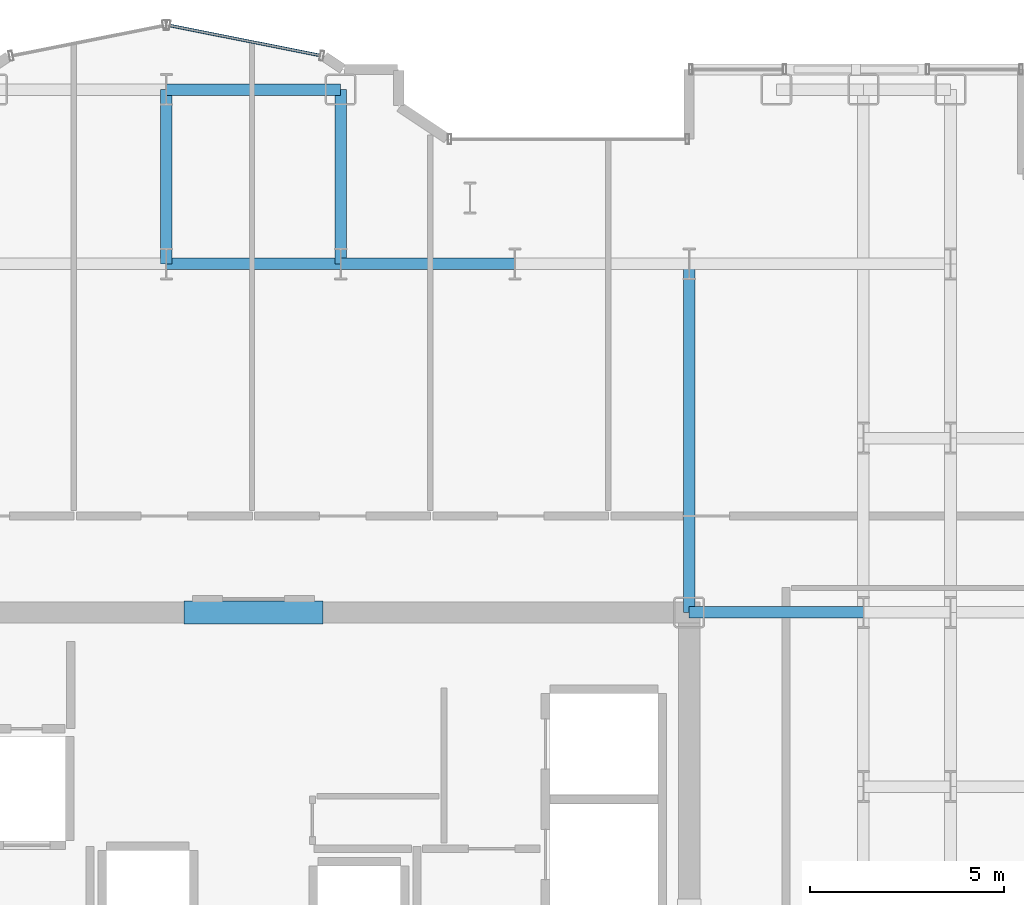
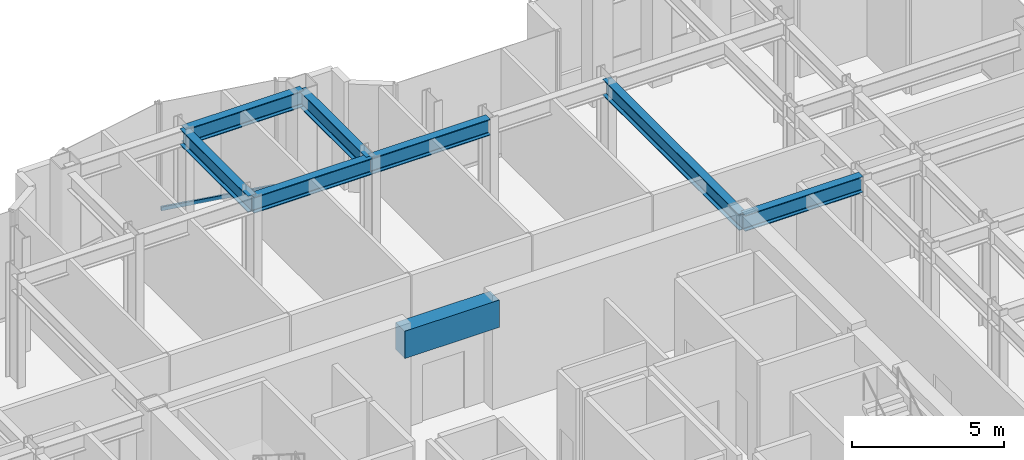
# One storey, part 14 of 26: 8 beams, 1 member, 1 element without a shape of its own.
"""IFC4 building model written with IfcOpenShell, lengths in metres."""

from ifc_helpers import new_model, si_unit, direction, frame, origin, origin_2d, place, context, subcontext, project, spatial, rectangle, hollow_rectangle, i_section, extrude, source, transform, mapped, material, layer, layer_set, material_profile, profile_set, type_object, element, aggregate, save


model = new_model("IFC4")

# Units and contexts
model_context = context("Model", 3, precision=1e-05, world=origin(), true_north=direction((0.0, 1.0)))
body_context = subcontext(model_context, "Body", "Model", "MODEL_VIEW")
ifc_project = project(units=[si_unit("LENGTHUNIT", "METRE"), si_unit("AREAUNIT", "SQUARE_METRE"), si_unit("VOLUMEUNIT", "CUBIC_METRE"), si_unit("PLANEANGLEUNIT", "RADIAN"), si_unit("MASSUNIT", "GRAM", prefix="KILO")], contexts=[model_context])

# Site, building, storey
site_placement = place(None, origin())
site = spatial("IfcSite", under=ifc_project, at=site_placement, CompositionType="ELEMENT")
building_placement = place(site_placement, origin())
building = spatial("IfcBuilding", under=site, at=building_placement, Name="Nefas-Gora Pilgrimage Tower", CompositionType="ELEMENT")
storey_placement = place(building_placement, frame((0.0, 0.0, 202.0)))
storey = spatial("IfcBuildingStorey", under=building, at=storey_placement, Name="L50", CompositionType="ELEMENT", Elevation=202.0)

# Beams
ifc_material_1 = material(Name="Concrete C60/75", Category="concrete")
ifc_material_profile_1 = material_profile(ifc_material_1, rectangle(XDim=0.60009765625, YDim=1.10009765625, at=origin_2d()), Name="RC 600x1100")
ifc_profile_set_1 = profile_set([ifc_material_profile_1], Name="Concrete C60/75")
beam_type_1 = type_object("IfcBeamType", Name="BM-LIN-RC1100", PredefinedType="LINTEL", material=ifc_profile_set_1)
shared_shape_1 = source(origin(), body_context, "Body", "SweptSolid", [
    extrude(rectangle(XDim=0.60009765625, YDim=1.10009765625, at=origin_2d()), origin(), (0.0, 0.0, 1.0), 3.60009765625),
])
beam_1_placement = place(storey_placement, frame((-1.800048828125, 9.0, 3.800048828125), z_axis=(1.0, 0.0, 0.0), x_axis=(0.0, 1.0, 0.0)))
element("IfcBeam", 1, at=beam_1_placement, inside=storey, type_object=beam_type_1, Name="L50 Core Coupling Lintel Beam N", PredefinedType="LINTEL", context=body_context, shape_type="MappedRepresentation", body=[
    mapped(shared_shape_1, transform((0.0, 0.0, 0.0), x_axis=(1.0, 0.0, 0.0), y_axis=(0.0, 1.0, 0.0), z_axis=(0.0, 0.0, 1.0), scale=1.0)),
])
ifc_material_2 = material(Name="Steel S355", Category="steel")
ifc_material_profile_2 = material_profile(ifc_material_2, i_section(OverallWidth=0.300048828125, OverallDepth=0.64990234375, WebThickness=0.01611328125, FlangeThickness=0.031005859375, FilletRadius=0.027099609375, at=origin_2d()), Name="HEB 650")
ifc_profile_set_2 = profile_set([ifc_material_profile_2], Name="Steel S355")
beam_type_2 = type_object("IfcBeamType", Name="BM-GIR-HEB650", PredefinedType="BEAM", material=ifc_profile_set_2)
shared_shape_2 = source(origin(), body_context, "Body", "SweptSolid", [
    extrude(i_section(OverallWidth=0.300048828125, OverallDepth=0.64990234375, WebThickness=0.01611328125, FlangeThickness=0.031005859375, FilletRadius=0.027099609375, at=origin_2d()), origin(), (0.0, 0.0, 1.0), 9.0),
])
beam_2_placement = place(storey_placement, frame((11.25, 9.0, 4.02490234375), z_axis=(0.0, 1.0, 0.0), x_axis=(-1.0, 0.0, 0.0)))
element("IfcBeam", 2, at=beam_2_placement, inside=storey, type_object=beam_type_2, Name="L50 G-03 beam", PredefinedType="BEAM", context=body_context, shape_type="MappedRepresentation", body=[
    mapped(shared_shape_2, transform((0.0, 0.0, 0.0), x_axis=(1.0, 0.0, 0.0), y_axis=(0.0, 1.0, 0.0), z_axis=(0.0, 0.0, 1.0), scale=1.0)),
])
shared_shape_3 = source(origin(), body_context, "Body", "SweptSolid", [
    extrude(i_section(OverallWidth=0.300048828125, OverallDepth=0.64990234375, WebThickness=0.01611328125, FlangeThickness=0.031005859375, FilletRadius=0.027099609375, at=origin_2d()), origin(), (0.0, 0.0, 1.0), 4.5),
])
for number, where, z_axis, x_axis, name in (
    (3, (-2.25, 18.0, 4.02490234375), (0.0, 1.0, 0.0), (-1.0, 0.0, 0.0), "L50 G-03 beam"),
    (4, (-2.25, 18.0, 4.02490234375), (1.0, 0.0, 0.0), (0.0, 1.0, 0.0), "L50 G-03 beam"),
    (5, (-2.25, 22.5, 4.02490234375), (1.0, 0.0, 0.0), (0.0, 1.0, 0.0), "L50 G-03 beam"),
    (6, (2.25, 18.0, 4.02490234375), (0.0, 1.0, 0.0), (-1.0, 0.0, 0.0), "L50 G-03 beam"),
    (7, (2.25, 18.0, 4.02490234375), (1.0, 0.0, 0.0), (0.0, 1.0, 0.0), "L50 G-03 beam"),
    (8, (11.25, 9.0, 4.02490234375), (1.0, 0.0, 0.0), (0.0, 1.0, 0.0), "L50 G-03 beam"),
):
    element("IfcBeam", number, at=place(storey_placement, frame(where, z_axis=z_axis, x_axis=x_axis)), inside=storey, type_object=beam_type_2, Name=name, PredefinedType="BEAM", context=body_context, shape_type="MappedRepresentation", body=[
        mapped(shared_shape_3, transform((0.0, 0.0, 0.0), x_axis=(1.0, 0.0, 0.0), y_axis=(0.0, 1.0, 0.0), z_axis=(0.0, 0.0, 1.0), scale=1.0)),
    ])

# Curtain wall, member
ifc_material_3 = material(Name="Dark ceramic-fritted solar-control aluminium-glass curtain wall", Category="aluminium")
ifc_layer = layer(ifc_material_3, 0.219970703125)
ifc_layer_set = layer_set([ifc_layer], Name="Dark ceramic-fritted solar-control aluminium-glass curtain wall")
curtain_wall_type = type_object("IfcCurtainWallType", Name="CW-SYS-5", PredefinedType="NOTDEFINED", material=ifc_layer_set)
curtain_wall_placement = place(storey_placement, origin())
curtain_wall = element("IfcCurtainWall", 9, at=curtain_wall_placement, inside=storey, type_object=curtain_wall_type, Name="L50 Unitised Curtain Wall CW5", PredefinedType="NOTDEFINED")
ifc_material_4 = material(Name="Anodised architectural aluminium", Category="aluminium")
ifc_material_profile_3 = material_profile(ifc_material_4, hollow_rectangle(XDim=0.080078125, YDim=0.159912109375, WallThickness=0.00439453125, InnerFilletRadius=0.00439453125, OuterFilletRadius=0.009033203125, at=origin_2d()), Name="ALU TRANSOM 80x160")
ifc_profile_set_3 = profile_set([ifc_material_profile_3], Name="Anodised architectural aluminium")
member_type = type_object("IfcMemberType", Name="CWM-TRN-5", PredefinedType="USERDEFINED", material=ifc_profile_set_3)
shared_shape_4 = source(origin(), body_context, "Body", "SweptSolid", [
    extrude(hollow_rectangle(XDim=0.080078125, YDim=0.159912109375, WallThickness=0.00439453125, InnerFilletRadius=0.00439453125, OuterFilletRadius=0.009033203125, at=origin_2d()), origin(), (0.0, 0.0, 1.0), 3.95654296875),
])
member_placement = place(storey_placement, frame((1.718994140625, 23.3828125, 0.050048828125), z_axis=(-0.980781880918, 0.195107411605, 0.0), x_axis=(-0.195107411605, -0.980781880918, 0.0)))
member = element("IfcMember", 10, at=member_placement, type_object=member_type, Name="CW5 Spandrel Transom", ObjectType="TRANSOM", PredefinedType="USERDEFINED", context=body_context, shape_type="MappedRepresentation", body=[
    mapped(shared_shape_4, transform((0.0, 0.0, 0.0), x_axis=(1.0, 0.0, 0.0), y_axis=(0.0, 1.0, 0.0), z_axis=(0.0, 0.0, 1.0), scale=1.0)),
])
aggregate(curtain_wall, [member])

save(model, "model.ifc")
